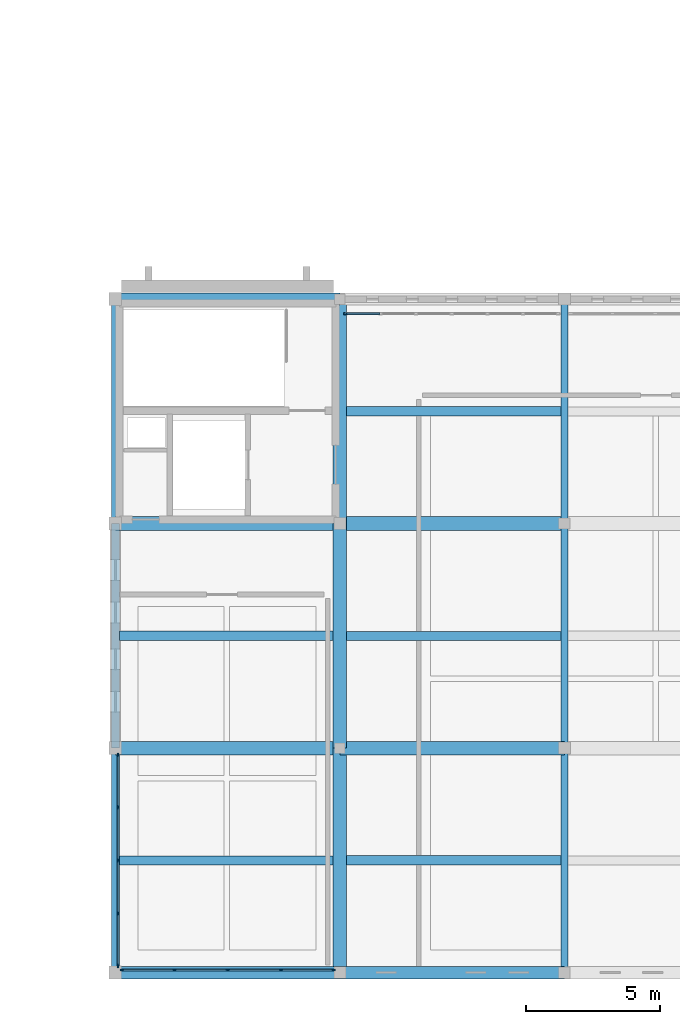
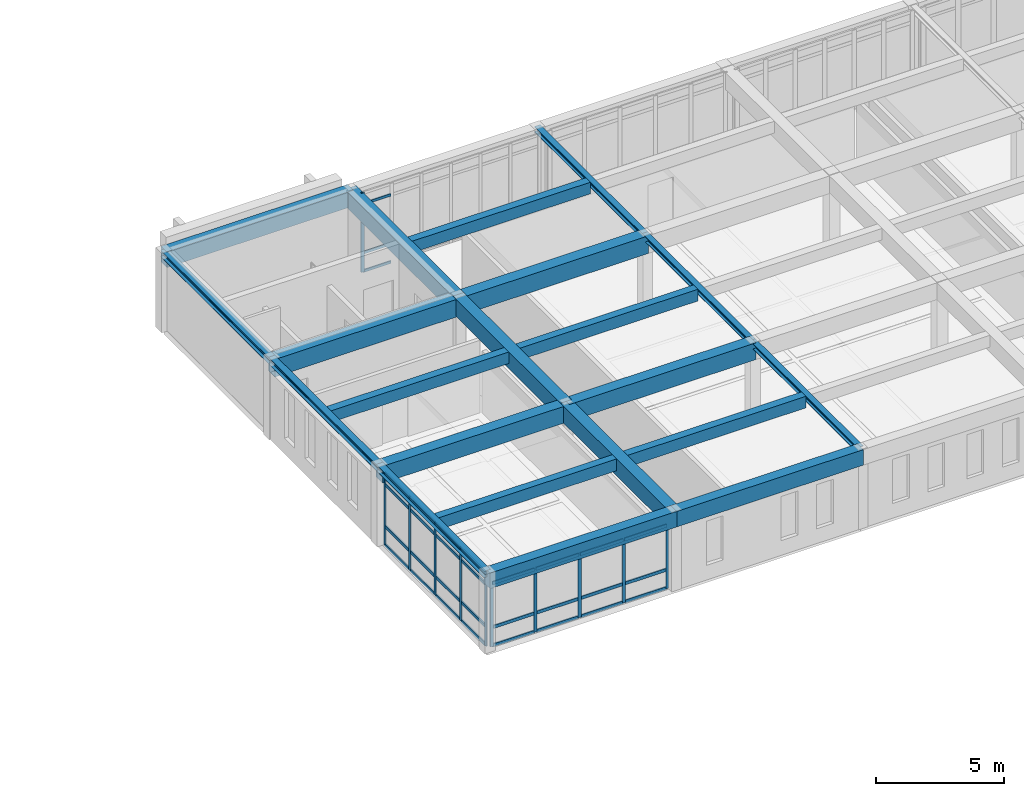
# One storey, part 14 of 110: 42 members, 21 beams, 3 elements without a shape of their own.
"""IFC4 building model written with IfcOpenShell, lengths in metres."""

from ifc_helpers import new_model, si_unit, direction, frame, origin, origin_2d, place, context, subcontext, project, spatial, rectangle, i_section, extrude, material, layer, layer_set, material_profile, profile_set, type_object, element, aggregate, save


model = new_model("IFC4")

# Units and contexts
model_context = context("Model", 3, precision=1e-05, world=origin(), true_north=direction((0.0, 1.0)))
body_context = subcontext(model_context, "Body", "Model", "MODEL_VIEW")
ifc_project = project(units=[si_unit("LENGTHUNIT", "METRE"), si_unit("AREAUNIT", "SQUARE_METRE"), si_unit("VOLUMEUNIT", "CUBIC_METRE"), si_unit("PLANEANGLEUNIT", "RADIAN"), si_unit("MASSUNIT", "GRAM", prefix="KILO")], contexts=[model_context])

# Site, building, storey
site_placement = place(None, origin())
site = spatial("IfcSite", under=ifc_project, at=site_placement, CompositionType="ELEMENT")
building_placement = place(site_placement, origin())
building = spatial("IfcBuilding", under=site, at=building_placement, Name="Kveldsbrygga Polytechnic", CompositionType="ELEMENT")
storey_placement = place(building_placement, frame((0.0, 0.0, 9.860107421875)))
storey = spatial("IfcBuildingStorey", under=building, at=storey_placement, Name="L02", CompositionType="ELEMENT", Elevation=9.860107421875)

# Beams
ifc_material_1 = material(Name="Concrete C35/45", Category="concrete")
ifc_material_profile_1 = material_profile(ifc_material_1, rectangle(XDim=0.449951171875, YDim=0.75, at=origin_2d()), Name="RC 450x750")
ifc_profile_set_1 = profile_set([ifc_material_profile_1], Name="Concrete C35/45")
beam_type_1 = type_object("IfcBeamType", Name="BM-RC-450x750", PredefinedType="BEAM", material=ifc_profile_set_1)
beam_1_placement = place(storey_placement, frame((75.60009765625, 25.199951171875, 3.385009765625), z_axis=(1.0, 0.0, 0.0), x_axis=(0.0, 1.0, 0.0)))
element("IfcBeam", 1, at=beam_1_placement, inside=storey, type_object=beam_type_1, Name="Primary Beam BMX-L02-09to10-03", PredefinedType="BEAM", context=body_context, shape_type="SweptSolid", body=[
    extrude(rectangle(XDim=0.449951171875, YDim=0.75, at=origin_2d()), origin(), (0.0, 0.0, 1.0), 8.39990234375),
])
ifc_material_profile_2 = material_profile(ifc_material_1, rectangle(XDim=0.4599609375, YDim=0.739990234375, at=origin_2d()), Name="RC 460x740")
ifc_profile_set_2 = profile_set([ifc_material_profile_2], Name="Concrete C35/45")
beam_type_2 = type_object("IfcBeamType", Name="BM-RC-460x740", PredefinedType="BEAM", material=ifc_profile_set_2)
for number, where, z_axis, x_axis, name in (
    (2, (75.60009765625, 0.0, 3.389892578125), (1.0, 0.0, 0.0), (0.0, 1.0, 0.0), "Primary Beam BMX-L02-09to10-00"),
    (3, (84.0, 0.0, 3.389892578125), (1.0, 0.0, 0.0), (0.0, 1.0, 0.0), "Primary Beam BMX-L02-10to11-00"),
):
    element("IfcBeam", number, at=place(storey_placement, frame(where, z_axis=z_axis, x_axis=x_axis)), inside=storey, type_object=beam_type_2, Name=name, PredefinedType="BEAM", context=body_context, shape_type="SweptSolid", body=[
        extrude(rectangle(XDim=0.4599609375, YDim=0.739990234375, at=origin_2d()), origin(), (0.0, 0.0, 1.0), 8.39990234375),
    ])
ifc_material_profile_3 = material_profile(ifc_material_1, rectangle(XDim=0.5, YDim=0.800048828125, at=origin_2d()), Name="RC 500x800")
ifc_profile_set_3 = profile_set([ifc_material_profile_3], Name="Concrete C35/45")
beam_type_3 = type_object("IfcBeamType", Name="BM-RC-500x800", PredefinedType="BEAM", material=ifc_profile_set_3)
for number, where, z_axis, x_axis, name in (
    (4, (75.60009765625, 8.39990234375, 3.35986328125), (1.0, 0.0, 0.0), (0.0, 1.0, 0.0), "Primary Beam BMX-L02-09to10-01"),
    (5, (84.0, 8.39990234375, 3.35986328125), (1.0, 0.0, 0.0), (0.0, 1.0, 0.0), "Primary Beam BMX-L02-10to11-01"),
    (6, (84.0, 0.0, 3.35986328125), (0.0, 1.0, 0.0), (-1.0, 0.0, 0.0), "Primary Beam BMY-L02-10-00to01"),
):
    element("IfcBeam", number, at=place(storey_placement, frame(where, z_axis=z_axis, x_axis=x_axis)), inside=storey, type_object=beam_type_3, Name=name, PredefinedType="BEAM", context=body_context, shape_type="SweptSolid", body=[
        extrude(rectangle(XDim=0.5, YDim=0.800048828125, at=origin_2d()), origin(), (0.0, 0.0, 1.0), 8.39990234375),
    ])
beam_2_placement = place(storey_placement, frame((84.0, 8.39990234375, 3.35986328125), z_axis=(0.0, 1.0, 0.0), x_axis=(-1.0, 0.0, 0.0)))
element("IfcBeam", 7, at=beam_2_placement, inside=storey, type_object=beam_type_3, Name="Primary Beam BMY-L02-10-01to02", PredefinedType="BEAM", context=body_context, shape_type="SweptSolid", body=[
    extrude(rectangle(XDim=0.5, YDim=0.800048828125, at=origin_2d()), origin(), (0.0, 0.0, 1.0), 8.400146484375),
])
beam_3_placement = place(storey_placement, frame((84.0, 16.800048828125, 3.35986328125), z_axis=(0.0, 1.0, 0.0), x_axis=(-1.0, 0.0, 0.0)))
element("IfcBeam", 8, at=beam_3_placement, inside=storey, type_object=beam_type_3, Name="Primary Beam BMY-L02-10-02to03", PredefinedType="BEAM", context=body_context, shape_type="SweptSolid", body=[
    extrude(rectangle(XDim=0.5, YDim=0.800048828125, at=origin_2d()), origin(), (0.0, 0.0, 1.0), 8.39990234375),
])
ifc_material_profile_4 = material_profile(ifc_material_1, rectangle(XDim=0.52001953125, YDim=0.840087890625, at=origin_2d()), Name="RC 520x840")
ifc_profile_set_4 = profile_set([ifc_material_profile_4], Name="Concrete C35/45")
beam_type_4 = type_object("IfcBeamType", Name="BM-RC-520x840", PredefinedType="BEAM", material=ifc_profile_set_4)
for number, where, z_axis, x_axis, name in (
    (9, (75.60009765625, 16.800048828125, 3.33984375), (1.0, 0.0, 0.0), (0.0, 1.0, 0.0), "Primary Beam BMX-L02-09to10-02"),
    (10, (84.0, 16.800048828125, 3.33984375), (1.0, 0.0, 0.0), (0.0, 1.0, 0.0), "Primary Beam BMX-L02-10to11-02"),
):
    element("IfcBeam", number, at=place(storey_placement, frame(where, z_axis=z_axis, x_axis=x_axis)), inside=storey, type_object=beam_type_4, Name=name, PredefinedType="BEAM", context=body_context, shape_type="SweptSolid", body=[
        extrude(rectangle(XDim=0.52001953125, YDim=0.840087890625, at=origin_2d()), origin(), (0.0, 0.0, 1.0), 8.39990234375),
    ])
ifc_material_2 = material(Name="Steel S355", Category="steel")
ifc_material_profile_5 = material_profile(ifc_material_2, i_section(OverallWidth=0.300048828125, OverallDepth=0.31005859375, WebThickness=0.009033203125, FlangeThickness=0.015380859375, FilletRadius=0.027099609375, at=origin_2d()), Name="HEA 320")
ifc_profile_set_5 = profile_set([ifc_material_profile_5], Name="Steel S355")
beam_type_5 = type_object("IfcBeamType", Name="BM-STL-HEA320", PredefinedType="BEAM", material=ifc_profile_set_5)
beam_4_placement = place(storey_placement, frame((75.60009765625, 0.0, 3.60498046875), z_axis=(0.0, 1.0, 0.0), x_axis=(-1.0, 0.0, 0.0)))
element("IfcBeam", 11, at=beam_4_placement, inside=storey, type_object=beam_type_5, Name="Primary Beam BMY-L02-09-00to01", PredefinedType="BEAM", context=body_context, shape_type="SweptSolid", body=[
    extrude(i_section(OverallWidth=0.300048828125, OverallDepth=0.31005859375, WebThickness=0.009033203125, FlangeThickness=0.015380859375, FilletRadius=0.027099609375, at=origin_2d()), origin(), (0.0, 0.0, 1.0), 8.39990234375),
])
beam_5_placement = place(storey_placement, frame((75.60009765625, 8.39990234375, 3.60498046875), z_axis=(0.0, 1.0, 0.0), x_axis=(-1.0, 0.0, 0.0)))
element("IfcBeam", 12, at=beam_5_placement, inside=storey, type_object=beam_type_5, Name="Primary Beam BMY-L02-09-01to02", PredefinedType="BEAM", context=body_context, shape_type="SweptSolid", body=[
    extrude(i_section(OverallWidth=0.300048828125, OverallDepth=0.31005859375, WebThickness=0.009033203125, FlangeThickness=0.015380859375, FilletRadius=0.027099609375, at=origin_2d()), origin(), (0.0, 0.0, 1.0), 8.400146484375),
])
beam_6_placement = place(storey_placement, frame((75.60009765625, 16.800048828125, 3.60498046875), z_axis=(0.0, 1.0, 0.0), x_axis=(-1.0, 0.0, 0.0)))
element("IfcBeam", 13, at=beam_6_placement, inside=storey, type_object=beam_type_5, Name="Primary Beam BMY-L02-09-02to03", PredefinedType="BEAM", context=body_context, shape_type="SweptSolid", body=[
    extrude(i_section(OverallWidth=0.300048828125, OverallDepth=0.31005859375, WebThickness=0.009033203125, FlangeThickness=0.015380859375, FilletRadius=0.027099609375, at=origin_2d()), origin(), (0.0, 0.0, 1.0), 8.39990234375),
])
ifc_material_profile_6 = material_profile(ifc_material_2, i_section(OverallWidth=0.260009765625, OverallDepth=0.260009765625, WebThickness=0.010009765625, FlangeThickness=0.017578125, FilletRadius=0.02392578125, at=origin_2d()), Name="HEB 260")
ifc_profile_set_6 = profile_set([ifc_material_profile_6], Name="Steel S355")
beam_type_6 = type_object("IfcBeamType", Name="BM-STL-HEB260", PredefinedType="BEAM", material=ifc_profile_set_6)
beam_7_placement = place(storey_placement, frame((92.39990234375, 0.0, 3.6298828125), z_axis=(0.0, 1.0, 0.0), x_axis=(-1.0, 0.0, 0.0)))
element("IfcBeam", 14, at=beam_7_placement, inside=storey, type_object=beam_type_6, Name="Primary Beam BMY-L02-11-00to01", PredefinedType="BEAM", context=body_context, shape_type="SweptSolid", body=[
    extrude(i_section(OverallWidth=0.260009765625, OverallDepth=0.260009765625, WebThickness=0.010009765625, FlangeThickness=0.017578125, FilletRadius=0.02392578125, at=origin_2d()), origin(), (0.0, 0.0, 1.0), 8.39990234375),
])
beam_8_placement = place(storey_placement, frame((92.39990234375, 8.39990234375, 3.6298828125), z_axis=(0.0, 1.0, 0.0), x_axis=(-1.0, 0.0, 0.0)))
element("IfcBeam", 15, at=beam_8_placement, inside=storey, type_object=beam_type_6, Name="Primary Beam BMY-L02-11-01to02", PredefinedType="BEAM", context=body_context, shape_type="SweptSolid", body=[
    extrude(i_section(OverallWidth=0.260009765625, OverallDepth=0.260009765625, WebThickness=0.010009765625, FlangeThickness=0.017578125, FilletRadius=0.02392578125, at=origin_2d()), origin(), (0.0, 0.0, 1.0), 8.400146484375),
])
beam_9_placement = place(storey_placement, frame((92.39990234375, 16.800048828125, 3.6298828125), z_axis=(0.0, 1.0, 0.0), x_axis=(-1.0, 0.0, 0.0)))
element("IfcBeam", 16, at=beam_9_placement, inside=storey, type_object=beam_type_6, Name="Primary Beam BMY-L02-11-02to03", PredefinedType="BEAM", context=body_context, shape_type="SweptSolid", body=[
    extrude(i_section(OverallWidth=0.260009765625, OverallDepth=0.260009765625, WebThickness=0.010009765625, FlangeThickness=0.017578125, FilletRadius=0.02392578125, at=origin_2d()), origin(), (0.0, 0.0, 1.0), 8.39990234375),
])

# Curtain wall, members
ifc_material_3 = material(Name="Anodised aluminium AW-6060", Category="aluminium")
ifc_layer_1 = layer(ifc_material_3, 0.199951171875)
ifc_layer_set_1 = layer_set([ifc_layer_1], Name="Anodised aluminium AW-6060")
curtain_wall_type_1 = type_object("IfcCurtainWallType", Name="CW-LANC-E", PredefinedType="USERDEFINED", material=ifc_layer_set_1)
curtain_wall_1_placement = place(storey_placement, origin())
curtain_wall_1 = element("IfcCurtainWall", 17, at=curtain_wall_1_placement, inside=storey, type_object=curtain_wall_type_1, Name="Curtain Wall CW-L02-X-09-00", ObjectType="UNITISED CURTAIN WALL", PredefinedType="USERDEFINED")
ifc_material_profile_7 = material_profile(ifc_material_3, rectangle(XDim=0.06005859375, YDim=0.139892578125, at=origin_2d()), Name="ALU 60x140")
ifc_profile_set_7 = profile_set([ifc_material_profile_7], Name="Anodised aluminium AW-6060")
member_type_1 = type_object("IfcMemberType", Name="CW-MUL-140", PredefinedType="MULLION", material=ifc_profile_set_7)
member_1_placement = place(storey_placement, frame((75.85498046875, 0.10009765625, 0.0), z_axis=(0.0, 0.0, 1.0), x_axis=(0.0, 1.0, 0.0)))
member_1 = element("IfcMember", 18, at=member_1_placement, type_object=member_type_1, Name="CW-05 mullion 1", PredefinedType="MULLION", context=body_context, shape_type="SweptSolid", body=[
    extrude(rectangle(XDim=0.06005859375, YDim=0.139892578125, at=origin_2d()), origin(), (0.0, 0.0, 1.0), 3.019775390625),
])
member_2_placement = place(storey_placement, frame((77.816162109375, 0.10009765625, 0.0), z_axis=(0.0, 0.0, 1.0), x_axis=(0.0, 1.0, 0.0)))
member_2 = element("IfcMember", 19, at=member_2_placement, type_object=member_type_1, Name="CW-05 mullion 2", PredefinedType="MULLION", context=body_context, shape_type="SweptSolid", body=[
    extrude(rectangle(XDim=0.06005859375, YDim=0.139892578125, at=origin_2d()), origin(), (0.0, 0.0, 1.0), 3.019775390625),
])
member_3_placement = place(storey_placement, frame((79.8076171875, 0.10009765625, 0.0), z_axis=(0.0, 0.0, 1.0), x_axis=(0.0, 1.0, 0.0)))
member_3 = element("IfcMember", 20, at=member_3_placement, type_object=member_type_1, Name="CW-05 mullion 3", PredefinedType="MULLION", context=body_context, shape_type="SweptSolid", body=[
    extrude(rectangle(XDim=0.06005859375, YDim=0.139892578125, at=origin_2d()), origin(), (0.0, 0.0, 1.0), 3.019775390625),
])
member_4_placement = place(storey_placement, frame((81.798828125, 0.10009765625, 0.0), z_axis=(0.0, 0.0, 1.0), x_axis=(0.0, 1.0, 0.0)))
member_4 = element("IfcMember", 21, at=member_4_placement, type_object=member_type_1, Name="CW-05 mullion 4", PredefinedType="MULLION", context=body_context, shape_type="SweptSolid", body=[
    extrude(rectangle(XDim=0.06005859375, YDim=0.139892578125, at=origin_2d()), origin(), (0.0, 0.0, 1.0), 3.019775390625),
])
member_5_placement = place(storey_placement, frame((83.760009765625, 0.10009765625, 0.0), z_axis=(0.0, 0.0, 1.0), x_axis=(0.0, 1.0, 0.0)))
member_5 = element("IfcMember", 22, at=member_5_placement, type_object=member_type_1, Name="CW-05 mullion 5", PredefinedType="MULLION", context=body_context, shape_type="SweptSolid", body=[
    extrude(rectangle(XDim=0.06005859375, YDim=0.139892578125, at=origin_2d()), origin(), (0.0, 0.0, 1.0), 3.019775390625),
])

curtain_wall_2_placement = place(storey_placement, origin())
curtain_wall_2 = element("IfcCurtainWall", 23, at=curtain_wall_2_placement, inside=storey, type_object=curtain_wall_type_1, Name="Curtain Wall CW-L02-Y-09-00", ObjectType="UNITISED CURTAIN WALL", PredefinedType="USERDEFINED")
member_6_placement = place(storey_placement, frame((75.699951171875, 0.2548828125, 0.0), z_axis=(0.0, 0.0, 1.0), x_axis=(-1.0, 0.0, 0.0)))
member_6 = element("IfcMember", 24, at=member_6_placement, type_object=member_type_1, Name="CW-05 mullion 1", PredefinedType="MULLION", context=body_context, shape_type="SweptSolid", body=[
    extrude(rectangle(XDim=0.06005859375, YDim=0.139892578125, at=origin_2d()), origin(), (0.0, 0.0, 1.0), 3.449951171875),
])
member_7_placement = place(storey_placement, frame((75.699951171875, 2.21240234375, 0.0), z_axis=(0.0, 0.0, 1.0), x_axis=(-1.0, 0.0, 0.0)))
member_7 = element("IfcMember", 25, at=member_7_placement, type_object=member_type_1, Name="CW-05 mullion 2", PredefinedType="MULLION", context=body_context, shape_type="SweptSolid", body=[
    extrude(rectangle(XDim=0.06005859375, YDim=0.139892578125, at=origin_2d()), origin(), (0.0, 0.0, 1.0), 3.449951171875),
])
member_8_placement = place(storey_placement, frame((75.699951171875, 4.199951171875, 0.0), z_axis=(0.0, 0.0, 1.0), x_axis=(-1.0, 0.0, 0.0)))
member_8 = element("IfcMember", 26, at=member_8_placement, type_object=member_type_1, Name="CW-05 mullion 3", PredefinedType="MULLION", context=body_context, shape_type="SweptSolid", body=[
    extrude(rectangle(XDim=0.06005859375, YDim=0.139892578125, at=origin_2d()), origin(), (0.0, 0.0, 1.0), 3.449951171875),
])
member_9_placement = place(storey_placement, frame((75.699951171875, 6.1875, 0.0), z_axis=(0.0, 0.0, 1.0), x_axis=(-1.0, 0.0, 0.0)))
member_9 = element("IfcMember", 27, at=member_9_placement, type_object=member_type_1, Name="CW-05 mullion 4", PredefinedType="MULLION", context=body_context, shape_type="SweptSolid", body=[
    extrude(rectangle(XDim=0.06005859375, YDim=0.139892578125, at=origin_2d()), origin(), (0.0, 0.0, 1.0), 3.449951171875),
])
member_10_placement = place(storey_placement, frame((75.699951171875, 8.14501953125, 0.0), z_axis=(0.0, 0.0, 1.0), x_axis=(-1.0, 0.0, 0.0)))
member_10 = element("IfcMember", 28, at=member_10_placement, type_object=member_type_1, Name="CW-05 mullion 5", PredefinedType="MULLION", context=body_context, shape_type="SweptSolid", body=[
    extrude(rectangle(XDim=0.06005859375, YDim=0.139892578125, at=origin_2d()), origin(), (0.0, 0.0, 1.0), 3.449951171875),
])

ifc_layer_2 = layer(ifc_material_3, 0.179931640625)
ifc_layer_set_2 = layer_set([ifc_layer_2], Name="Anodised aluminium AW-6060")
curtain_wall_type_2 = type_object("IfcCurtainWallType", Name="CW-CONC-A", PredefinedType="USERDEFINED", material=ifc_layer_set_2)
curtain_wall_3_placement = place(storey_placement, origin())
curtain_wall_3 = element("IfcCurtainWall", 29, at=curtain_wall_3_placement, inside=storey, type_object=curtain_wall_type_2, Name="Curtain Wall CW-L02-X-10-03", ObjectType="UNITISED CURTAIN WALL", PredefinedType="USERDEFINED")
member_11_placement = place(storey_placement, frame((84.215087890625, 24.64990234375, 0.0), z_axis=(0.0, 0.0, 1.0), x_axis=(0.0, 1.0, 0.0)))
member_11 = element("IfcMember", 30, at=member_11_placement, type_object=member_type_1, Name="CW-01 mullion 1", PredefinedType="MULLION", context=body_context, shape_type="SweptSolid", body=[
    extrude(rectangle(XDim=0.06005859375, YDim=0.139892578125, at=origin_2d()), origin(), (0.0, 0.0, 1.0), 3.77978515625),
])
ifc_material_profile_8 = material_profile(ifc_material_3, rectangle(XDim=0.06005859375, YDim=0.1201171875, at=origin_2d()), Name="ALU 60x120")
ifc_profile_set_8 = profile_set([ifc_material_profile_8], Name="Anodised aluminium AW-6060")
member_type_2 = type_object("IfcMemberType", Name="CW-TRN-120", PredefinedType="USERDEFINED", material=ifc_profile_set_8)
member_12_placement = place(storey_placement, frame((84.2451171875, 24.64990234375, 0.02978515625), z_axis=(1.0, 0.0, 0.0), x_axis=(0.0, 1.0, 0.0)))
member_12 = element("IfcMember", 31, at=member_12_placement, type_object=member_type_2, Name="CW-01 transom 1.1", ObjectType="TRANSOM", PredefinedType="USERDEFINED", context=body_context, shape_type="SweptSolid", body=[
    extrude(rectangle(XDim=0.06005859375, YDim=0.1201171875, at=origin_2d()), origin(), (0.0, 0.0, 1.0), 1.244140625),
])
member_13_placement = place(storey_placement, frame((84.2451171875, 24.64990234375, 0.89990234375), z_axis=(1.0, 0.0, 0.0), x_axis=(0.0, 1.0, 0.0)))
member_13 = element("IfcMember", 32, at=member_13_placement, type_object=member_type_2, Name="CW-01 transom 1.2", ObjectType="TRANSOM", PredefinedType="USERDEFINED", context=body_context, shape_type="SweptSolid", body=[
    extrude(rectangle(XDim=0.06005859375, YDim=0.1201171875, at=origin_2d()), origin(), (0.0, 0.0, 1.0), 1.244140625),
])
member_14_placement = place(storey_placement, frame((84.2451171875, 24.64990234375, 3.22998046875), z_axis=(1.0, 0.0, 0.0), x_axis=(0.0, 1.0, 0.0)))
member_14 = element("IfcMember", 33, at=member_14_placement, type_object=member_type_2, Name="CW-01 transom 1.3", ObjectType="TRANSOM", PredefinedType="USERDEFINED", context=body_context, shape_type="SweptSolid", body=[
    extrude(rectangle(XDim=0.06005859375, YDim=0.1201171875, at=origin_2d()), origin(), (0.0, 0.0, 1.0), 1.244140625),
])
aggregate(curtain_wall_3, [member_11, member_12, member_13, member_14])

# Member
ifc_material_profile_9 = material_profile(ifc_material_3, rectangle(XDim=0.06005859375, YDim=0.14990234375, at=origin_2d()), Name="ALU 60x150")
ifc_profile_set_9 = profile_set([ifc_material_profile_9], Name="Anodised aluminium AW-6060")
member_type_3 = type_object("IfcMemberType", Name="CW-TRN-150", PredefinedType="USERDEFINED", material=ifc_profile_set_9)
member_15_placement = place(storey_placement, frame((75.885009765625, 0.10009765625, 0.02978515625), z_axis=(1.0, 0.0, 0.0), x_axis=(0.0, 1.0, 0.0)))
member_15 = element("IfcMember", 34, at=member_15_placement, type_object=member_type_3, Name="CW-05 transom 1.1", ObjectType="TRANSOM", PredefinedType="USERDEFINED", context=body_context, shape_type="SweptSolid", body=[
    extrude(rectangle(XDim=0.06005859375, YDim=0.14990234375, at=origin_2d()), origin(), (0.0, 0.0, 1.0), 1.901123046875),
])

member_16_placement = place(storey_placement, frame((75.885009765625, 0.10009765625, 0.89990234375), z_axis=(1.0, 0.0, 0.0), x_axis=(0.0, 1.0, 0.0)))
member_16 = element("IfcMember", 35, at=member_16_placement, type_object=member_type_3, Name="CW-05 transom 1.2", ObjectType="TRANSOM", PredefinedType="USERDEFINED", context=body_context, shape_type="SweptSolid", body=[
    extrude(rectangle(XDim=0.06005859375, YDim=0.14990234375, at=origin_2d()), origin(), (0.0, 0.0, 1.0), 1.901123046875),
])

member_17_placement = place(storey_placement, frame((75.885009765625, 0.10009765625, 2.989990234375), z_axis=(1.0, 0.0, 0.0), x_axis=(0.0, 1.0, 0.0)))
member_17 = element("IfcMember", 36, at=member_17_placement, type_object=member_type_3, Name="CW-05 transom 1.3", ObjectType="TRANSOM", PredefinedType="USERDEFINED", context=body_context, shape_type="SweptSolid", body=[
    extrude(rectangle(XDim=0.06005859375, YDim=0.14990234375, at=origin_2d()), origin(), (0.0, 0.0, 1.0), 1.901123046875),
])

member_18_placement = place(storey_placement, frame((77.84619140625, 0.10009765625, 0.02978515625), z_axis=(1.0, 0.0, 0.0), x_axis=(0.0, 1.0, 0.0)))
member_18 = element("IfcMember", 37, at=member_18_placement, type_object=member_type_3, Name="CW-05 transom 2.1", ObjectType="TRANSOM", PredefinedType="USERDEFINED", context=body_context, shape_type="SweptSolid", body=[
    extrude(rectangle(XDim=0.06005859375, YDim=0.14990234375, at=origin_2d()), origin(), (0.0, 0.0, 1.0), 1.931396484375),
])

member_19_placement = place(storey_placement, frame((77.84619140625, 0.10009765625, 0.89990234375), z_axis=(1.0, 0.0, 0.0), x_axis=(0.0, 1.0, 0.0)))
member_19 = element("IfcMember", 38, at=member_19_placement, type_object=member_type_3, Name="CW-05 transom 2.2", ObjectType="TRANSOM", PredefinedType="USERDEFINED", context=body_context, shape_type="SweptSolid", body=[
    extrude(rectangle(XDim=0.06005859375, YDim=0.14990234375, at=origin_2d()), origin(), (0.0, 0.0, 1.0), 1.931396484375),
])

member_20_placement = place(storey_placement, frame((77.84619140625, 0.10009765625, 2.989990234375), z_axis=(1.0, 0.0, 0.0), x_axis=(0.0, 1.0, 0.0)))
member_20 = element("IfcMember", 39, at=member_20_placement, type_object=member_type_3, Name="CW-05 transom 2.3", ObjectType="TRANSOM", PredefinedType="USERDEFINED", context=body_context, shape_type="SweptSolid", body=[
    extrude(rectangle(XDim=0.06005859375, YDim=0.14990234375, at=origin_2d()), origin(), (0.0, 0.0, 1.0), 1.931396484375),
])

member_21_placement = place(storey_placement, frame((79.83740234375, 0.10009765625, 0.02978515625), z_axis=(1.0, 0.0, 0.0), x_axis=(0.0, 1.0, 0.0)))
member_21 = element("IfcMember", 40, at=member_21_placement, type_object=member_type_3, Name="CW-05 transom 3.1", ObjectType="TRANSOM", PredefinedType="USERDEFINED", context=body_context, shape_type="SweptSolid", body=[
    extrude(rectangle(XDim=0.06005859375, YDim=0.14990234375, at=origin_2d()), origin(), (0.0, 0.0, 1.0), 1.931396484375),
])

member_22_placement = place(storey_placement, frame((79.83740234375, 0.10009765625, 0.89990234375), z_axis=(1.0, 0.0, 0.0), x_axis=(0.0, 1.0, 0.0)))
member_22 = element("IfcMember", 41, at=member_22_placement, type_object=member_type_3, Name="CW-05 transom 3.2", ObjectType="TRANSOM", PredefinedType="USERDEFINED", context=body_context, shape_type="SweptSolid", body=[
    extrude(rectangle(XDim=0.06005859375, YDim=0.14990234375, at=origin_2d()), origin(), (0.0, 0.0, 1.0), 1.931396484375),
])

member_23_placement = place(storey_placement, frame((79.83740234375, 0.10009765625, 2.989990234375), z_axis=(1.0, 0.0, 0.0), x_axis=(0.0, 1.0, 0.0)))
member_23 = element("IfcMember", 42, at=member_23_placement, type_object=member_type_3, Name="CW-05 transom 3.3", ObjectType="TRANSOM", PredefinedType="USERDEFINED", context=body_context, shape_type="SweptSolid", body=[
    extrude(rectangle(XDim=0.06005859375, YDim=0.14990234375, at=origin_2d()), origin(), (0.0, 0.0, 1.0), 1.931396484375),
])

member_24_placement = place(storey_placement, frame((81.828857421875, 0.10009765625, 0.02978515625), z_axis=(1.0, 0.0, 0.0), x_axis=(0.0, 1.0, 0.0)))
member_24 = element("IfcMember", 43, at=member_24_placement, type_object=member_type_3, Name="CW-05 transom 4.1", ObjectType="TRANSOM", PredefinedType="USERDEFINED", context=body_context, shape_type="SweptSolid", body=[
    extrude(rectangle(XDim=0.06005859375, YDim=0.14990234375, at=origin_2d()), origin(), (0.0, 0.0, 1.0), 1.901123046875),
])

member_25_placement = place(storey_placement, frame((81.828857421875, 0.10009765625, 0.89990234375), z_axis=(1.0, 0.0, 0.0), x_axis=(0.0, 1.0, 0.0)))
member_25 = element("IfcMember", 44, at=member_25_placement, type_object=member_type_3, Name="CW-05 transom 4.2", ObjectType="TRANSOM", PredefinedType="USERDEFINED", context=body_context, shape_type="SweptSolid", body=[
    extrude(rectangle(XDim=0.06005859375, YDim=0.14990234375, at=origin_2d()), origin(), (0.0, 0.0, 1.0), 1.901123046875),
])

member_26_placement = place(storey_placement, frame((81.828857421875, 0.10009765625, 2.989990234375), z_axis=(1.0, 0.0, 0.0), x_axis=(0.0, 1.0, 0.0)))
member_26 = element("IfcMember", 45, at=member_26_placement, type_object=member_type_3, Name="CW-05 transom 4.3", ObjectType="TRANSOM", PredefinedType="USERDEFINED", context=body_context, shape_type="SweptSolid", body=[
    extrude(rectangle(XDim=0.06005859375, YDim=0.14990234375, at=origin_2d()), origin(), (0.0, 0.0, 1.0), 1.901123046875),
])

aggregate(curtain_wall_1, [member_1, member_2, member_3, member_4, member_5, member_15, member_16, member_17, member_18, member_19, member_20, member_21, member_22, member_23, member_24, member_25, member_26])

member_27_placement = place(storey_placement, frame((75.699951171875, 0.284912109375, 0.02978515625), z_axis=(0.0, 1.0, 0.0), x_axis=(-1.0, 0.0, 0.0)))
member_27 = element("IfcMember", 46, at=member_27_placement, type_object=member_type_3, Name="CW-05 transom 1.1", ObjectType="TRANSOM", PredefinedType="USERDEFINED", context=body_context, shape_type="SweptSolid", body=[
    extrude(rectangle(XDim=0.06005859375, YDim=0.14990234375, at=origin_2d()), origin(), (0.0, 0.0, 1.0), 1.897705078125),
])

member_28_placement = place(storey_placement, frame((75.699951171875, 0.284912109375, 0.89990234375), z_axis=(0.0, 1.0, 0.0), x_axis=(-1.0, 0.0, 0.0)))
member_28 = element("IfcMember", 47, at=member_28_placement, type_object=member_type_3, Name="CW-05 transom 1.2", ObjectType="TRANSOM", PredefinedType="USERDEFINED", context=body_context, shape_type="SweptSolid", body=[
    extrude(rectangle(XDim=0.06005859375, YDim=0.14990234375, at=origin_2d()), origin(), (0.0, 0.0, 1.0), 1.897705078125),
])

member_29_placement = place(storey_placement, frame((75.699951171875, 0.284912109375, 2.89990234375), z_axis=(0.0, 1.0, 0.0), x_axis=(-1.0, 0.0, 0.0)))
member_29 = element("IfcMember", 48, at=member_29_placement, type_object=member_type_3, Name="CW-05 transom 1.3", ObjectType="TRANSOM", PredefinedType="USERDEFINED", context=body_context, shape_type="SweptSolid", body=[
    extrude(rectangle(XDim=0.06005859375, YDim=0.14990234375, at=origin_2d()), origin(), (0.0, 0.0, 1.0), 1.897705078125),
])

member_30_placement = place(storey_placement, frame((75.699951171875, 0.284912109375, 3.419921875), z_axis=(0.0, 1.0, 0.0), x_axis=(-1.0, 0.0, 0.0)))
member_30 = element("IfcMember", 49, at=member_30_placement, type_object=member_type_3, Name="CW-05 transom 1.4", ObjectType="TRANSOM", PredefinedType="USERDEFINED", context=body_context, shape_type="SweptSolid", body=[
    extrude(rectangle(XDim=0.06005859375, YDim=0.14990234375, at=origin_2d()), origin(), (0.0, 0.0, 1.0), 1.897705078125),
])

member_31_placement = place(storey_placement, frame((75.699951171875, 2.242431640625, 0.02978515625), z_axis=(0.0, 1.0, 0.0), x_axis=(-1.0, 0.0, 0.0)))
member_31 = element("IfcMember", 50, at=member_31_placement, type_object=member_type_3, Name="CW-05 transom 2.1", ObjectType="TRANSOM", PredefinedType="USERDEFINED", context=body_context, shape_type="SweptSolid", body=[
    extrude(rectangle(XDim=0.06005859375, YDim=0.14990234375, at=origin_2d()), origin(), (0.0, 0.0, 1.0), 1.927490234375),
])

member_32_placement = place(storey_placement, frame((75.699951171875, 2.242431640625, 0.89990234375), z_axis=(0.0, 1.0, 0.0), x_axis=(-1.0, 0.0, 0.0)))
member_32 = element("IfcMember", 51, at=member_32_placement, type_object=member_type_3, Name="CW-05 transom 2.2", ObjectType="TRANSOM", PredefinedType="USERDEFINED", context=body_context, shape_type="SweptSolid", body=[
    extrude(rectangle(XDim=0.06005859375, YDim=0.14990234375, at=origin_2d()), origin(), (0.0, 0.0, 1.0), 1.927490234375),
])

member_33_placement = place(storey_placement, frame((75.699951171875, 2.242431640625, 2.89990234375), z_axis=(0.0, 1.0, 0.0), x_axis=(-1.0, 0.0, 0.0)))
member_33 = element("IfcMember", 52, at=member_33_placement, type_object=member_type_3, Name="CW-05 transom 2.3", ObjectType="TRANSOM", PredefinedType="USERDEFINED", context=body_context, shape_type="SweptSolid", body=[
    extrude(rectangle(XDim=0.06005859375, YDim=0.14990234375, at=origin_2d()), origin(), (0.0, 0.0, 1.0), 1.927490234375),
])

member_34_placement = place(storey_placement, frame((75.699951171875, 2.242431640625, 3.419921875), z_axis=(0.0, 1.0, 0.0), x_axis=(-1.0, 0.0, 0.0)))
member_34 = element("IfcMember", 53, at=member_34_placement, type_object=member_type_3, Name="CW-05 transom 2.4", ObjectType="TRANSOM", PredefinedType="USERDEFINED", context=body_context, shape_type="SweptSolid", body=[
    extrude(rectangle(XDim=0.06005859375, YDim=0.14990234375, at=origin_2d()), origin(), (0.0, 0.0, 1.0), 1.927490234375),
])

member_35_placement = place(storey_placement, frame((75.699951171875, 4.22998046875, 0.02978515625), z_axis=(0.0, 1.0, 0.0), x_axis=(-1.0, 0.0, 0.0)))
member_35 = element("IfcMember", 54, at=member_35_placement, type_object=member_type_3, Name="CW-05 transom 3.1", ObjectType="TRANSOM", PredefinedType="USERDEFINED", context=body_context, shape_type="SweptSolid", body=[
    extrude(rectangle(XDim=0.06005859375, YDim=0.14990234375, at=origin_2d()), origin(), (0.0, 0.0, 1.0), 1.927490234375),
])

member_36_placement = place(storey_placement, frame((75.699951171875, 4.22998046875, 0.89990234375), z_axis=(0.0, 1.0, 0.0), x_axis=(-1.0, 0.0, 0.0)))
member_36 = element("IfcMember", 55, at=member_36_placement, type_object=member_type_3, Name="CW-05 transom 3.2", ObjectType="TRANSOM", PredefinedType="USERDEFINED", context=body_context, shape_type="SweptSolid", body=[
    extrude(rectangle(XDim=0.06005859375, YDim=0.14990234375, at=origin_2d()), origin(), (0.0, 0.0, 1.0), 1.927490234375),
])

member_37_placement = place(storey_placement, frame((75.699951171875, 4.22998046875, 2.89990234375), z_axis=(0.0, 1.0, 0.0), x_axis=(-1.0, 0.0, 0.0)))
member_37 = element("IfcMember", 56, at=member_37_placement, type_object=member_type_3, Name="CW-05 transom 3.3", ObjectType="TRANSOM", PredefinedType="USERDEFINED", context=body_context, shape_type="SweptSolid", body=[
    extrude(rectangle(XDim=0.06005859375, YDim=0.14990234375, at=origin_2d()), origin(), (0.0, 0.0, 1.0), 1.927490234375),
])

member_38_placement = place(storey_placement, frame((75.699951171875, 4.22998046875, 3.419921875), z_axis=(0.0, 1.0, 0.0), x_axis=(-1.0, 0.0, 0.0)))
member_38 = element("IfcMember", 57, at=member_38_placement, type_object=member_type_3, Name="CW-05 transom 3.4", ObjectType="TRANSOM", PredefinedType="USERDEFINED", context=body_context, shape_type="SweptSolid", body=[
    extrude(rectangle(XDim=0.06005859375, YDim=0.14990234375, at=origin_2d()), origin(), (0.0, 0.0, 1.0), 1.927490234375),
])

member_39_placement = place(storey_placement, frame((75.699951171875, 6.217529296875, 0.02978515625), z_axis=(0.0, 1.0, 0.0), x_axis=(-1.0, 0.0, 0.0)))
member_39 = element("IfcMember", 58, at=member_39_placement, type_object=member_type_3, Name="CW-05 transom 4.1", ObjectType="TRANSOM", PredefinedType="USERDEFINED", context=body_context, shape_type="SweptSolid", body=[
    extrude(rectangle(XDim=0.06005859375, YDim=0.14990234375, at=origin_2d()), origin(), (0.0, 0.0, 1.0), 1.8974609375),
])

member_40_placement = place(storey_placement, frame((75.699951171875, 6.217529296875, 0.89990234375), z_axis=(0.0, 1.0, 0.0), x_axis=(-1.0, 0.0, 0.0)))
member_40 = element("IfcMember", 59, at=member_40_placement, type_object=member_type_3, Name="CW-05 transom 4.2", ObjectType="TRANSOM", PredefinedType="USERDEFINED", context=body_context, shape_type="SweptSolid", body=[
    extrude(rectangle(XDim=0.06005859375, YDim=0.14990234375, at=origin_2d()), origin(), (0.0, 0.0, 1.0), 1.8974609375),
])

member_41_placement = place(storey_placement, frame((75.699951171875, 6.217529296875, 2.89990234375), z_axis=(0.0, 1.0, 0.0), x_axis=(-1.0, 0.0, 0.0)))
member_41 = element("IfcMember", 60, at=member_41_placement, type_object=member_type_3, Name="CW-05 transom 4.3", ObjectType="TRANSOM", PredefinedType="USERDEFINED", context=body_context, shape_type="SweptSolid", body=[
    extrude(rectangle(XDim=0.06005859375, YDim=0.14990234375, at=origin_2d()), origin(), (0.0, 0.0, 1.0), 1.8974609375),
])

member_42_placement = place(storey_placement, frame((75.699951171875, 6.217529296875, 3.419921875), z_axis=(0.0, 1.0, 0.0), x_axis=(-1.0, 0.0, 0.0)))
member_42 = element("IfcMember", 61, at=member_42_placement, type_object=member_type_3, Name="CW-05 transom 4.4", ObjectType="TRANSOM", PredefinedType="USERDEFINED", context=body_context, shape_type="SweptSolid", body=[
    extrude(rectangle(XDim=0.06005859375, YDim=0.14990234375, at=origin_2d()), origin(), (0.0, 0.0, 1.0), 1.8974609375),
])

aggregate(curtain_wall_2, [member_6, member_7, member_8, member_9, member_10, member_27, member_28, member_29, member_30, member_31, member_32, member_33, member_34, member_35, member_36, member_37, member_38, member_39, member_40, member_41, member_42])

# Beams
ifc_material_profile_10 = material_profile(ifc_material_1, rectangle(XDim=0.340087890625, YDim=0.56005859375, at=origin_2d()), Name="RC 340x560")
ifc_profile_set_10 = profile_set([ifc_material_profile_10], Name="Concrete C35/45")
beam_type_7 = type_object("IfcBeamType", Name="JST-RC-340x560", PredefinedType="JOIST", material=ifc_profile_set_10)
beam_10_placement = place(storey_placement, frame((75.75, 4.199951171875, 3.47998046875), z_axis=(1.0, 0.0, 0.0), x_axis=(0.0, 1.0, 0.0)))
element("IfcBeam", 62, at=beam_10_placement, inside=storey, type_object=beam_type_7, Name="Secondary Joist JST-L02-09-00", PredefinedType="JOIST", context=body_context, shape_type="SweptSolid", body=[
    extrude(rectangle(XDim=0.340087890625, YDim=0.56005859375, at=origin_2d()), origin(), (0.0, 0.0, 1.0), 8.0),
])
beam_11_placement = place(storey_placement, frame((84.25, 12.60009765625, 3.47998046875), z_axis=(1.0, 0.0, 0.0), x_axis=(0.0, 1.0, 0.0)))
element("IfcBeam", 63, at=beam_11_placement, inside=storey, type_object=beam_type_7, Name="Secondary Joist JST-L02-10-01", PredefinedType="JOIST", context=body_context, shape_type="SweptSolid", body=[
    extrude(rectangle(XDim=0.340087890625, YDim=0.56005859375, at=origin_2d()), origin(), (0.0, 0.0, 1.0), 8.02001953125),
])
ifc_material_profile_11 = material_profile(ifc_material_1, rectangle(XDim=0.35009765625, YDim=0.550048828125, at=origin_2d()), Name="RC 350x550")
ifc_profile_set_11 = profile_set([ifc_material_profile_11], Name="Concrete C35/45")
beam_type_8 = type_object("IfcBeamType", Name="JST-RC-350x550", PredefinedType="JOIST", material=ifc_profile_set_11)
beam_12_placement = place(storey_placement, frame((75.75, 12.60009765625, 3.48486328125), z_axis=(1.0, 0.0, 0.0), x_axis=(0.0, 1.0, 0.0)))
element("IfcBeam", 64, at=beam_12_placement, inside=storey, type_object=beam_type_8, Name="Secondary Joist JST-L02-09-01", PredefinedType="JOIST", context=body_context, shape_type="SweptSolid", body=[
    extrude(rectangle(XDim=0.35009765625, YDim=0.550048828125, at=origin_2d()), origin(), (0.0, 0.0, 1.0), 8.0),
])
for number, where, z_axis, x_axis, name in (
    (65, (84.25, 4.199951171875, 3.48486328125), (1.0, 0.0, 0.0), (0.0, 1.0, 0.0), "Secondary Joist JST-L02-10-00"),
    (66, (84.25, 21.0, 3.48486328125), (1.0, 0.0, 0.0), (0.0, 1.0, 0.0), "Secondary Joist JST-L02-10-02"),
):
    element("IfcBeam", number, at=place(storey_placement, frame(where, z_axis=z_axis, x_axis=x_axis)), inside=storey, type_object=beam_type_8, Name=name, PredefinedType="JOIST", context=body_context, shape_type="SweptSolid", body=[
        extrude(rectangle(XDim=0.35009765625, YDim=0.550048828125, at=origin_2d()), origin(), (0.0, 0.0, 1.0), 8.02001953125),
    ])

save(model, "model.ifc")
